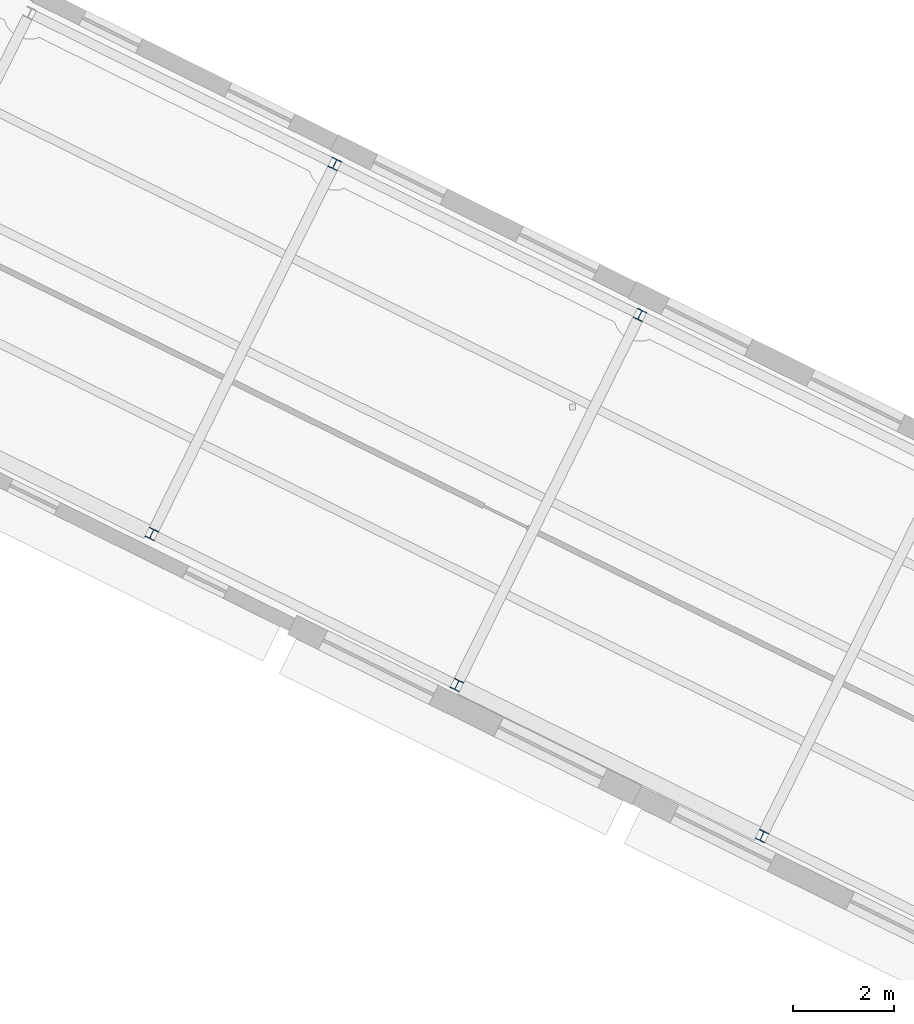
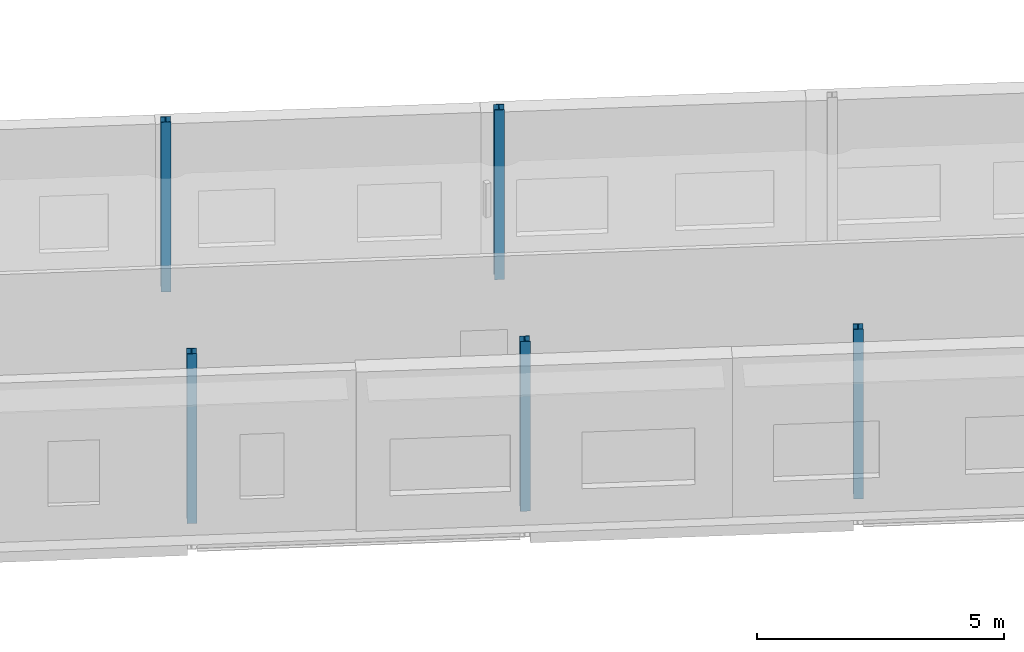
# One storey, part 20 of 90: 5 columns.
"""IFC4 building model written with IfcOpenShell, lengths in metres."""

import ifcopenshell
import ifcopenshell.guid

model = None  # the IFC model being written
_history = None  # IfcOwnerHistory: only IFC2X3 demands one
_inside = {}  # id of a spatial element -> (the spatial element, [elements in it])
_under = {}  # id of a project, library or spatial element -> (it, [spatial elements below it])
_declared = {}  # id of a project -> (the project, [libraries it declares])
_typed = {}  # id of a type object -> (the type object, [elements of that type])
_made_of = {}  # id of a material, layer set ... -> (it, [elements and type objects made of it])


def new_model(schema):
    """Start an empty IFC model of exactly this schema.

    Asked for "IFC4X3", IfcOpenShell would pick the latest addendum, in which some entities
    have other attributes; the version numbers below select the first issue.
    IFC2X3 requires an IfcOwnerHistory on every rooted entity: one is made here for all.
    """
    global model, _history
    if schema == "IFC4X3":
        model = ifcopenshell.file(schema_version=(4, 3, 0, 0))
    else:
        model = ifcopenshell.file(schema=schema)
    _inside.clear()
    _under.clear()
    _declared.clear()
    _typed.clear()
    _made_of.clear()
    _history = None
    if model.schema == "IFC2X3":
        org = make("IfcOrganization", Name="unknown")
        user = make(
            "IfcPersonAndOrganization",
            ThePerson=make("IfcPerson", FamilyName="unknown"),
            TheOrganization=org,
        )
        app = make(
            "IfcApplication",
            ApplicationDeveloper=org,
            Version="unknown",
            ApplicationFullName="unknown",
            ApplicationIdentifier="unknown",
        )
        _history = make(
            "IfcOwnerHistory",
            OwningUser=user,
            OwningApplication=app,
            ChangeAction="ADDED",
            CreationDate=0,
        )
    return model


def make(cls, **values):
    """One entity of the class cls with the attributes given. An attribute that is None is left unset."""
    return model.create_entity(
        cls, **{name: value for name, value in values.items() if value is not None}
    )


def rooted(cls, **values):
    """An entity with a GlobalId (a new one), such as an element, a storey or a relation."""
    return make(cls, GlobalId=ifcopenshell.guid.new(), OwnerHistory=_history, **values)


def si_unit(unit_type, name, prefix=None):
    """IfcSIUnit, for example si_unit("LENGTHUNIT", "METRE", prefix="MILLI")."""
    return make("IfcSIUnit", UnitType=unit_type, Prefix=prefix, Name=name)


def assignment(units):
    """IfcUnitAssignment: the units of a project."""
    return None if units is None else make("IfcUnitAssignment", Units=units)


def point(xyz):
    """IfcCartesianPoint."""
    return None if xyz is None else make("IfcCartesianPoint", Coordinates=xyz)


def direction(xyz):
    """IfcDirection."""
    return None if xyz is None else make("IfcDirection", DirectionRatios=xyz)


def frame(location, z_axis=None, x_axis=None):
    """IfcAxis2Placement3D, a coordinate frame: its origin and axes. An axis left out is left unset."""
    return make(
        "IfcAxis2Placement3D",
        Location=point(location),
        Axis=direction(z_axis),
        RefDirection=direction(x_axis),
    )


def frame_2d(location, x_axis=None):
    """IfcAxis2Placement2D, a coordinate frame in the plane: its origin and x axis."""
    return make(
        "IfcAxis2Placement2D", Location=point(location), RefDirection=direction(x_axis)
    )


def origin():
    """The frame at (0, 0, 0) with its axes left unset."""
    return frame((0.0, 0.0, 0.0))


def origin_2d():
    """The frame at (0, 0) in the plane with its x axis left unset."""
    return frame_2d((0.0, 0.0))


def place(relative_to, where):
    """IfcLocalPlacement: puts the frame where relative to a parent placement (None: the world)."""
    return make(
        "IfcLocalPlacement", PlacementRelTo=relative_to, RelativePlacement=where
    )


def context(
    kind, dimensions, precision=None, world=None, true_north=None, identifier=None
):
    """IfcGeometricRepresentationContext, for example the 3D "Model" context."""
    return make(
        "IfcGeometricRepresentationContext",
        ContextIdentifier=identifier,
        ContextType=kind,
        CoordinateSpaceDimension=dimensions,
        Precision=precision,
        WorldCoordinateSystem=world,
        TrueNorth=true_north,
    )


def subcontext(parent, identifier, kind, view, scale=None):
    """IfcGeometricRepresentationSubContext, for example "Body" below "Model"."""
    return make(
        "IfcGeometricRepresentationSubContext",
        ContextIdentifier=identifier,
        ContextType=kind,
        ParentContext=parent,
        TargetScale=scale,
        TargetView=view,
    )


def project(units=None, contexts=None):
    """IfcProject with its units and contexts."""
    return rooted(
        "IfcProject",
        Name="project",
        RepresentationContexts=contexts,
        UnitsInContext=assignment(units),
    )


def spatial(cls, under=None, at=None, **own):
    """A site, building, storey or space (cls), placed at a placement, below another one or the project."""
    s = rooted(cls, ObjectPlacement=at, **own)
    if under is not None:
        _under.setdefault(under.id(), (under, []))[1].append(s)
    return s


def profile(cls, at=None, kind="AREA", **sizes):
    """A parametric profile (cls). Its sizes go by their IFC names, for example OverallWidth=200.0."""
    return make(cls, ProfileType=kind, Position=at, **sizes)


def i_section(**sizes):
    """IfcIShapeProfileDef."""
    return profile("IfcIShapeProfileDef", **sizes)


def extrude(swept, where, along, depth):
    """IfcExtrudedAreaSolid: the profile swept, set in the frame where, extruded along a direction by depth."""
    return make(
        "IfcExtrudedAreaSolid",
        SweptArea=swept,
        Position=where,
        ExtrudedDirection=direction(along),
        Depth=depth,
    )


def shape(context_of_items, identifier, shape_type, items):
    """IfcShapeRepresentation: the items that make up one representation, for example the "Body"."""
    return make(
        "IfcShapeRepresentation",
        ContextOfItems=context_of_items,
        RepresentationIdentifier=identifier,
        RepresentationType=shape_type,
        Items=items,
    )


def material(Name=None, Category=None):
    """IfcMaterial."""
    return make("IfcMaterial", Name=Name, Category=Category)


def material_profile(
    of_material, cross_section, Name=None, Category=None, Priority=None
):
    """IfcMaterialProfile: a cross section and its material."""
    return make(
        "IfcMaterialProfile",
        Name=Name,
        Material=of_material,
        Profile=cross_section,
        Priority=Priority,
        Category=Category,
    )


def profile_set(profiles, Name=None, composite=None):
    """IfcMaterialProfileSet."""
    return make(
        "IfcMaterialProfileSet",
        Name=Name,
        MaterialProfiles=profiles,
        CompositeProfile=composite,
    )


def made_of(thing, what):
    """Note that an element or type object is made of a material, layer set ...; save() writes the relation."""
    if what is not None:
        _made_of.setdefault(what.id(), (what, []))[1].append(thing)
    return thing


def type_object(cls, material=None, **own):
    """A type object (cls), such as IfcWallType, which elements share."""
    return made_of(rooted(cls, **own), material)


def element(
    cls,
    number,
    at=None,
    inside=None,
    cuts=None,
    type_object=None,
    material=None,
    context=None,
    identifier="Body",
    shape_type=None,
    held_by="IfcProductDefinitionShape",
    body=None,
    shapes=None,
    **own,
):
    """One element of the class cls, such as IfcWall. Its Tag is "e" and its number.

    at: its placement. inside: the storey or other place that contains it. cuts: it is an
    opening in that element (IfcRelVoidsElement). A single representation is given by context,
    identifier, shape_type and body (its items); several are given by shapes. held_by: the class
    of the entity that holds the representations. save() writes the other relations.
    """
    e = rooted(cls, Tag="e%d" % number, ObjectPlacement=at, **own)
    if body is not None:
        shapes = [shape(context, identifier, shape_type, body)]
    if shapes is not None:
        e.Representation = make(held_by, Representations=shapes)
    if inside is not None:
        _inside.setdefault(inside.id(), (inside, []))[1].append(e)
    if cuts is not None:
        rooted(
            "IfcRelVoidsElement", RelatingBuildingElement=cuts, RelatedOpeningElement=e
        )
    if type_object is not None:
        _typed.setdefault(type_object.id(), (type_object, []))[1].append(e)
    return made_of(e, material)


def aggregate(whole, parts):
    """IfcRelAggregates: a whole, such as a stair, and the parts it consists of."""
    return rooted("IfcRelAggregates", RelatingObject=whole, RelatedObjects=parts)


def save(model, path):
    """Write the relations noted so far, then the file.

    IfcRelAggregates (storeys below a building ...), IfcRelContainedInSpatialStructure (elements
    in a storey), IfcRelDefinesByType, IfcRelAssociatesMaterial and IfcRelDeclares: one each for
    every whole, place, type object, material and project.
    """
    for whole, parts in _under.values():
        aggregate(whole, parts)
    for where, things in _inside.values():
        rooted(
            "IfcRelContainedInSpatialStructure",
            RelatedElements=things,
            RelatingStructure=where,
        )
    for kind, things in _typed.values():
        rooted("IfcRelDefinesByType", RelatedObjects=things, RelatingType=kind)
    for what, things in _made_of.values():
        rooted("IfcRelAssociatesMaterial", RelatedObjects=things, RelatingMaterial=what)
    for by, libraries in _declared.values():
        rooted("IfcRelDeclares", RelatingContext=by, RelatedDefinitions=libraries)
    model.write(path)


model = new_model("IFC4")

# Units and contexts
model_context = context("Model", 3, precision=1e-05, world=origin(), true_north=direction((0.0, 1.0)))
body_context = subcontext(model_context, "Body", "Model", "MODEL_VIEW")
ifc_project = project(units=[si_unit("LENGTHUNIT", "METRE"), si_unit("AREAUNIT", "SQUARE_METRE"), si_unit("VOLUMEUNIT", "CUBIC_METRE"), si_unit("PLANEANGLEUNIT", "RADIAN"), si_unit("MASSUNIT", "GRAM", prefix="KILO")], contexts=[model_context])

# Site, building, storey
site_placement = place(None, origin())
site = spatial("IfcSite", under=ifc_project, at=site_placement, CompositionType="ELEMENT")
building_placement = place(site_placement, origin())
building = spatial("IfcBuilding", under=site, at=building_placement, Name="Wrenclough Park School", CompositionType="ELEMENT")
storey_placement = place(building_placement, frame((0.0, 0.0, 8.39990234375)))
storey = spatial("IfcBuildingStorey", under=building, at=storey_placement, Name="L02", CompositionType="ELEMENT", Elevation=8.39990234375)

# Columns
ifc_material = material(Name="Structural steel S355", Category="steel")
ifc_material_profile = material_profile(ifc_material, i_section(OverallWidth=0.20361328125, OverallDepth=0.203125, WebThickness=0.007080078125, FlangeThickness=0.010986328125, FilletRadius=0.01025390625, at=origin_2d()), Name="UKC 203x203x46")
ifc_profile_set = profile_set([ifc_material_profile], Name="Structural steel S355")
column_type = type_object("IfcColumnType", Name="STR-COL-UKC203A", PredefinedType="COLUMN", material=ifc_profile_set)
for number, where, z_axis, x_axis, name in (
    (1, (139.943359375, 115.1748046875, 0.0), (0.0, 0.0, 1.0), (0.896254315973, -0.443540529265, 0.0), "W45 L02 column W45-C2-L02"),
    (2, (136.306640625, 107.8251953125, 0.0), (0.0, 0.0, 1.0), (0.896254315973, -0.443540529265, 0.0), "W45 L02 column W45-C2-R02"),
    (3, (146.005859375, 112.1748046875, 0.0), (0.0, 0.0, 1.0), (0.896254315973, -0.443540529265, 0.0), "W45 L02 column W45-C2-L03"),
    (4, (142.369140625, 104.8251953125, 0.0), (0.0, 0.0, 1.0), (0.896254315973, -0.443540529265, 0.0), "W45 L02 column W45-C2-R03"),
    (5, (148.431640625, 101.8251953125, 0.0), (0.0, 0.0, 1.0), (0.896254315973, -0.443540529265, 0.0), "W45 L02 column W45-C2-R04"),
):
    element("IfcColumn", number, at=place(storey_placement, frame(where, z_axis=z_axis, x_axis=x_axis)), inside=storey, type_object=column_type, Name=name, PredefinedType="COLUMN", context=body_context, shape_type="SweptSolid", body=[
        extrude(i_section(OverallWidth=0.20361328125, OverallDepth=0.203125, WebThickness=0.007080078125, FlangeThickness=0.010986328125, FilletRadius=0.01025390625, at=origin_2d()), origin(), (0.0, 0.0, 1.0), 4.2001953125),
    ])

save(model, "model.ifc")
